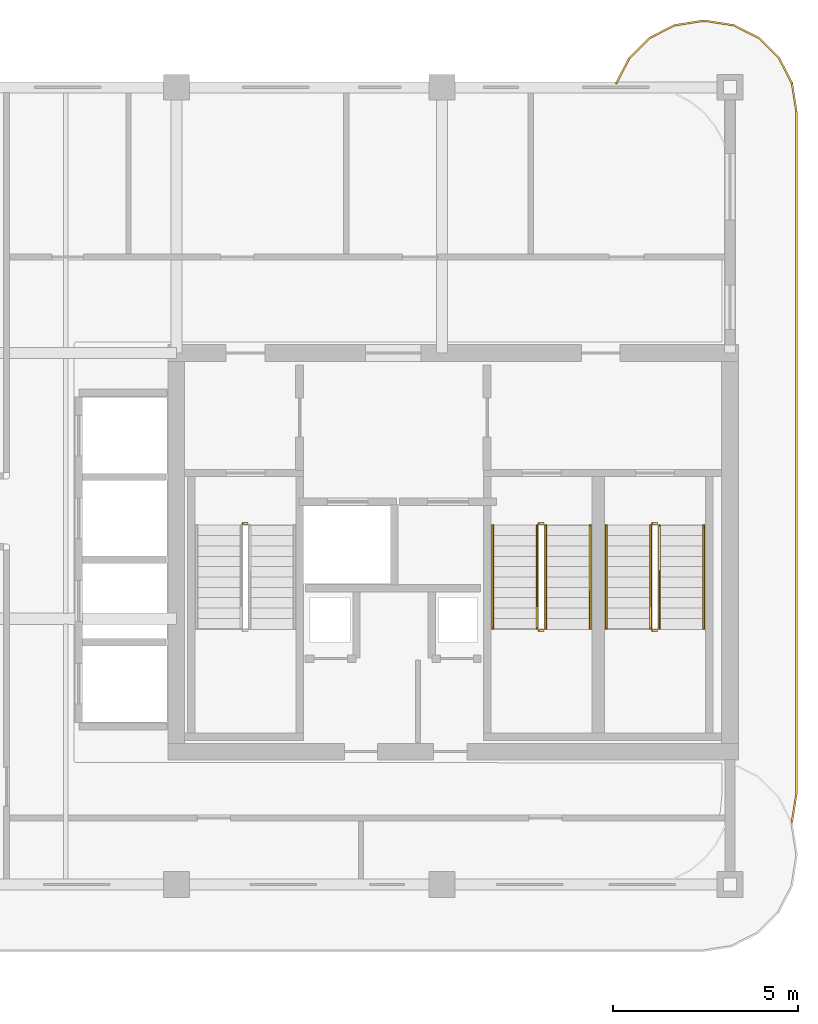
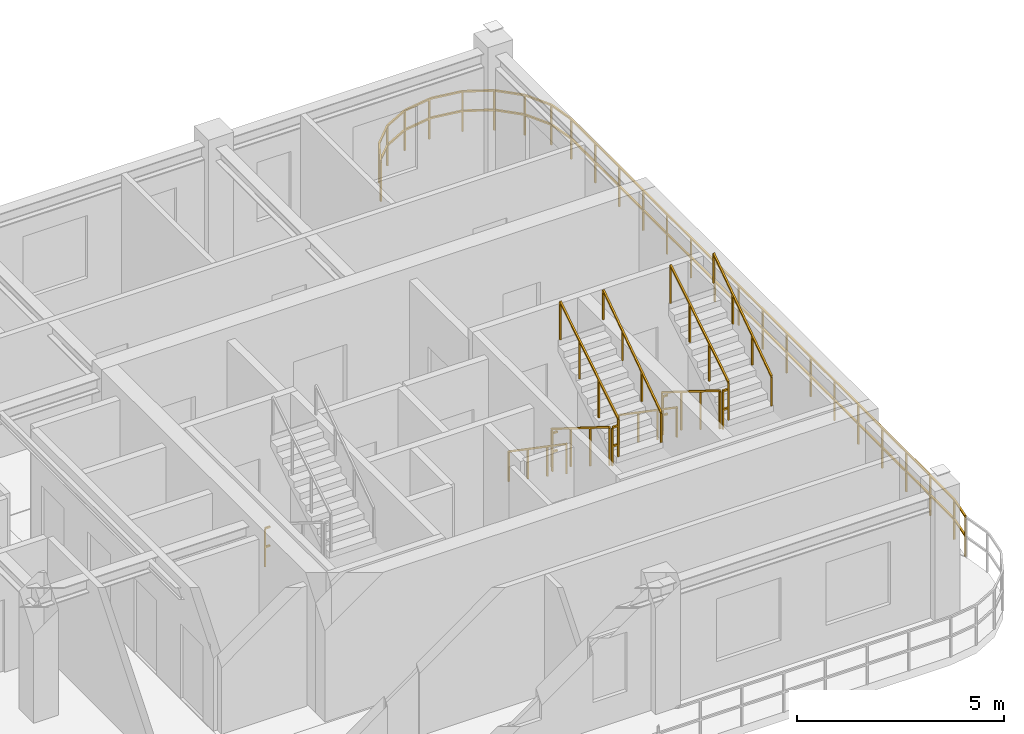
# One storey, part 7 of 7: 14 railings.
"""IFC4 building model written with IfcOpenShell, lengths in metres."""

from ifc_helpers import new_model, si_unit, derived_unit, direction, frame, origin, origin_2d, place, context, subcontext, project, spatial, rectangle, extrude, material, type_object, element, save


model = new_model("IFC4")

# Units and contexts
model_context = context("Model", 3, precision=1e-05, world=origin(), true_north=direction((0.0, 1.0)))
body_context = subcontext(model_context, "Body", "Model", "MODEL_VIEW")
ifc_project = project(units=[si_unit("LENGTHUNIT", "METRE"), si_unit("AREAUNIT", "SQUARE_METRE"), si_unit("VOLUMEUNIT", "CUBIC_METRE"), si_unit("PLANEANGLEUNIT", "RADIAN"), si_unit("MASSUNIT", "GRAM", prefix="KILO"), si_unit("THERMODYNAMICTEMPERATUREUNIT", "KELVIN"), si_unit("POWERUNIT", "WATT"), derived_unit("THERMALTRANSMITTANCEUNIT", [(si_unit("POWERUNIT", "WATT"), 1), (si_unit("AREAUNIT", "SQUARE_METRE"), -1), (si_unit("THERMODYNAMICTEMPERATUREUNIT", "KELVIN"), -1)])], contexts=[model_context])

# Site, building, storey
site_placement = place(None, origin())
site = spatial("IfcSite", under=ifc_project, at=site_placement, CompositionType="ELEMENT")
building_placement = place(site_placement, origin())
building = spatial("IfcBuilding", under=site, at=building_placement, Name="Zahravan Archway Hotel and Residences", CompositionType="ELEMENT")
storey_placement = place(building_placement, frame((0.0, 0.0, 290.449951171875)))
storey = spatial("IfcBuildingStorey", under=building, at=storey_placement, Name="L73", CompositionType="ELEMENT", Elevation=290.449951171875)

# Railings
ifc_material_1 = material(Name="Bronze & Laminated Glass Balustrade", Category="glass")
railing_type_1 = type_object("IfcRailingType", Name="RL-BAL-1200", PredefinedType="BALUSTRADE", material=ifc_material_1)
railing_1_placement = place(storey_placement, frame((46.719970703125, 21.70703125, 0.0)))
element("IfcRailing", 1, at=railing_1_placement, inside=storey, type_object=railing_type_1, Name="L73 Balustrade RL-SLB-BAL-L73-EA-1", PredefinedType="BALUSTRADE", context=body_context, shape_type="SweptSolid", body=[
    extrude(rectangle(XDim=0.048095703125, YDim=0.048095703125, at=origin_2d()), frame((0.0, 0.0, 1.17578125), z_axis=(0.453825591531, 0.891090529897, 0.0), x_axis=(-0.891090529897, 0.453825591531, 0.0)), (0.0, 0.0, 1.0), 0.7666015625),
    extrude(rectangle(XDim=0.048095703125, YDim=0.048095703125, at=origin_2d()), frame((0.0, 0.0, 0.60009765625), z_axis=(0.453825591531, 0.891090529897, 0.0), x_axis=(-0.891090529897, 0.453825591531, 0.0)), (0.0, 0.0, 1.0), 0.7666015625),
    extrude(rectangle(XDim=0.048095703125, YDim=0.048095703125, at=origin_2d()), frame((0.347900390625, 0.68310546875, 1.17578125), z_axis=(0.707106781187, 0.707106781187, 0.0), x_axis=(-0.707106781187, 0.707106781187, 0.0)), (0.0, 0.0, 1.0), 0.7666015625),
    extrude(rectangle(XDim=0.048095703125, YDim=0.048095703125, at=origin_2d()), frame((0.347900390625, 0.68310546875, 0.60009765625), z_axis=(0.707106781187, 0.707106781187, 0.0), x_axis=(-0.707106781187, 0.707106781187, 0.0)), (0.0, 0.0, 1.0), 0.7666015625),
    extrude(rectangle(XDim=0.048095703125, YDim=0.048095703125, at=origin_2d()), frame((0.889892578125, 1.22509765625, 1.17578125), z_axis=(0.891090529897, 0.453825591531, 0.0), x_axis=(-0.453825591531, 0.891090529897, 0.0)), (0.0, 0.0, 1.0), 0.7666015625),
    extrude(rectangle(XDim=0.048095703125, YDim=0.048095703125, at=origin_2d()), frame((0.889892578125, 1.22509765625, 0.60009765625), z_axis=(0.891090529897, 0.453825591531, 0.0), x_axis=(-0.453825591531, 0.891090529897, 0.0)), (0.0, 0.0, 1.0), 0.7666015625),
    extrude(rectangle(XDim=0.048095703125, YDim=0.048095703125, at=origin_2d()), frame((1.572998046875, 1.572998046875, 1.17578125), z_axis=(0.987695728695, 0.156387811283, 0.0), x_axis=(-0.156387811283, 0.987695728695, 0.0)), (0.0, 0.0, 1.0), 0.7666015625),
    extrude(rectangle(XDim=0.048095703125, YDim=0.048095703125, at=origin_2d()), frame((1.572998046875, 1.572998046875, 0.60009765625), z_axis=(0.987695728695, 0.156387811283, 0.0), x_axis=(-0.156387811283, 0.987695728695, 0.0)), (0.0, 0.0, 1.0), 0.7666015625),
    extrude(rectangle(XDim=0.048095703125, YDim=0.048095703125, at=origin_2d()), frame((2.330078125, 1.69287109375, 1.17578125), z_axis=(1.0, 0.0, 0.0), x_axis=(0.0, 1.0, 0.0)), (0.0, 0.0, 1.0), 0.099853515625),
    extrude(rectangle(XDim=0.048095703125, YDim=0.048095703125, at=origin_2d()), frame((2.330078125, 1.69287109375, 0.60009765625), z_axis=(1.0, 0.0, 0.0), x_axis=(0.0, 1.0, 0.0)), (0.0, 0.0, 1.0), 0.099853515625),
    extrude(rectangle(XDim=0.048095703125, YDim=0.048095703125, at=origin_2d()), frame((2.429931640625, 1.69287109375, 1.17578125), z_axis=(0.987695728695, -0.156387811283, 0.0), x_axis=(0.156387811283, 0.987695728695, 0.0)), (0.0, 0.0, 1.0), 0.7666015625),
    extrude(rectangle(XDim=0.048095703125, YDim=0.048095703125, at=origin_2d()), frame((2.429931640625, 1.69287109375, 0.60009765625), z_axis=(0.987695728695, -0.156387811283, 0.0), x_axis=(0.156387811283, 0.987695728695, 0.0)), (0.0, 0.0, 1.0), 0.7666015625),
    extrude(rectangle(XDim=0.048095703125, YDim=0.048095703125, at=origin_2d()), frame((3.18701171875, 1.572998046875, 1.17578125), z_axis=(0.891090529897, -0.453825591531, 0.0), x_axis=(0.453825591531, 0.891090529897, 0.0)), (0.0, 0.0, 1.0), 0.7666015625),
    extrude(rectangle(XDim=0.048095703125, YDim=0.048095703125, at=origin_2d()), frame((3.18701171875, 1.572998046875, 0.60009765625), z_axis=(0.891090529897, -0.453825591531, 0.0), x_axis=(0.453825591531, 0.891090529897, 0.0)), (0.0, 0.0, 1.0), 0.7666015625),
    extrude(rectangle(XDim=0.048095703125, YDim=0.048095703125, at=origin_2d()), frame((3.8701171875, 1.22509765625, 1.17578125), z_axis=(0.707106781187, -0.707106781187, 0.0), x_axis=(0.707106781187, 0.707106781187, 0.0)), (0.0, 0.0, 1.0), 0.7666015625),
    extrude(rectangle(XDim=0.048095703125, YDim=0.048095703125, at=origin_2d()), frame((3.8701171875, 1.22509765625, 0.60009765625), z_axis=(0.707106781187, -0.707106781187, 0.0), x_axis=(0.707106781187, 0.707106781187, 0.0)), (0.0, 0.0, 1.0), 0.7666015625),
    extrude(rectangle(XDim=0.048095703125, YDim=0.048095703125, at=origin_2d()), frame((4.412109375, 0.68310546875, 1.17578125), z_axis=(0.453825591531, -0.891090529897, 0.0), x_axis=(0.891090529897, 0.453825591531, 0.0)), (0.0, 0.0, 1.0), 0.7666015625),
    extrude(rectangle(XDim=0.048095703125, YDim=0.048095703125, at=origin_2d()), frame((4.412109375, 0.68310546875, 0.60009765625), z_axis=(0.453825591531, -0.891090529897, 0.0), x_axis=(0.891090529897, 0.453825591531, 0.0)), (0.0, 0.0, 1.0), 0.7666015625),
    extrude(rectangle(XDim=0.048095703125, YDim=0.048095703125, at=origin_2d()), frame((4.760009765625, 0.0, 1.17578125), z_axis=(0.156698507018, -0.987646484274, 0.0), x_axis=(0.987646484274, 0.156698507018, 0.0)), (0.0, 0.0, 1.0), 0.7666015625),
    extrude(rectangle(XDim=0.048095703125, YDim=0.048095703125, at=origin_2d()), frame((4.760009765625, 0.0, 0.60009765625), z_axis=(0.156698507018, -0.987646484274, 0.0), x_axis=(0.987646484274, 0.156698507018, 0.0)), (0.0, 0.0, 1.0), 0.7666015625),
    extrude(rectangle(XDim=0.048095703125, YDim=0.048095703125, at=origin_2d()), frame((4.880126953125, -0.757080078125, 1.17578125), z_axis=(0.0, -1.0, 0.0), x_axis=(1.0, 0.0, 0.0)), (0.0, 0.0, 1.0), 18.5),
    extrude(rectangle(XDim=0.048095703125, YDim=0.048095703125, at=origin_2d()), frame((4.880126953125, -0.757080078125, 0.60009765625), z_axis=(0.0, -1.0, 0.0), x_axis=(1.0, 0.0, 0.0)), (0.0, 0.0, 1.0), 18.5),
    extrude(rectangle(XDim=0.048095703125, YDim=0.048095703125, at=origin_2d()), frame((4.880126953125, -19.257080078125, 1.17578125), z_axis=(-0.156698507018, -0.987646484274, 0.0), x_axis=(0.987646484274, -0.156698507018, 0.0)), (0.0, 0.0, 1.0), 0.7666015625),
    extrude(rectangle(XDim=0.048095703125, YDim=0.048095703125, at=origin_2d()), frame((4.880126953125, -19.257080078125, 0.60009765625), z_axis=(-0.156698507018, -0.987646484274, 0.0), x_axis=(0.987646484274, -0.156698507018, 0.0)), (0.0, 0.0, 1.0), 0.7666015625),
    extrude(rectangle(XDim=0.0419921875, YDim=0.0419921875, at=origin_2d()), origin(), (0.0, 0.0, 1.0), 1.15185546875),
    extrude(rectangle(XDim=0.0419921875, YDim=0.0419921875, at=origin_2d()), frame((0.347900390625, 0.68310546875, 0.0)), (0.0, 0.0, 1.0), 1.15185546875),
    extrude(rectangle(XDim=0.0419921875, YDim=0.0419921875, at=origin_2d()), frame((0.889892578125, 1.22509765625, 0.0)), (0.0, 0.0, 1.0), 1.15185546875),
    extrude(rectangle(XDim=0.0419921875, YDim=0.0419921875, at=origin_2d()), frame((1.572998046875, 1.572998046875, 0.0)), (0.0, 0.0, 1.0), 1.15185546875),
    extrude(rectangle(XDim=0.0419921875, YDim=0.0419921875, at=origin_2d()), frame((2.330078125, 1.69287109375, 0.0)), (0.0, 0.0, 1.0), 1.15185546875),
    extrude(rectangle(XDim=0.0419921875, YDim=0.0419921875, at=origin_2d()), frame((3.18701171875, 1.572998046875, 0.0)), (0.0, 0.0, 1.0), 1.15185546875),
    extrude(rectangle(XDim=0.0419921875, YDim=0.0419921875, at=origin_2d()), frame((3.8701171875, 1.22509765625, 0.0)), (0.0, 0.0, 1.0), 1.15185546875),
    extrude(rectangle(XDim=0.0419921875, YDim=0.0419921875, at=origin_2d()), frame((4.412109375, 0.68310546875, 0.0)), (0.0, 0.0, 1.0), 1.15185546875),
    extrude(rectangle(XDim=0.0419921875, YDim=0.0419921875, at=origin_2d()), frame((4.760009765625, 0.0, 0.0)), (0.0, 0.0, 1.0), 1.15185546875),
    extrude(rectangle(XDim=0.0419921875, YDim=0.0419921875, at=origin_2d()), frame((4.880126953125, -0.757080078125, 0.0)), (0.0, 0.0, 1.0), 1.15185546875),
    extrude(rectangle(XDim=0.0419921875, YDim=0.0419921875, at=origin_2d()), frame((4.880126953125, -1.913330078125, 0.0)), (0.0, 0.0, 1.0), 1.15185546875),
    extrude(rectangle(XDim=0.0419921875, YDim=0.0419921875, at=origin_2d()), frame((4.880126953125, -3.069580078125, 0.0)), (0.0, 0.0, 1.0), 1.15185546875),
    extrude(rectangle(XDim=0.0419921875, YDim=0.0419921875, at=origin_2d()), frame((4.880126953125, -4.225830078125, 0.0)), (0.0, 0.0, 1.0), 1.15185546875),
    extrude(rectangle(XDim=0.0419921875, YDim=0.0419921875, at=origin_2d()), frame((4.880126953125, -5.382080078125, 0.0)), (0.0, 0.0, 1.0), 1.15185546875),
    extrude(rectangle(XDim=0.0419921875, YDim=0.0419921875, at=origin_2d()), frame((4.880126953125, -6.538330078125, 0.0)), (0.0, 0.0, 1.0), 1.15185546875),
    extrude(rectangle(XDim=0.0419921875, YDim=0.0419921875, at=origin_2d()), frame((4.880126953125, -7.694580078125, 0.0)), (0.0, 0.0, 1.0), 1.15185546875),
    extrude(rectangle(XDim=0.0419921875, YDim=0.0419921875, at=origin_2d()), frame((4.880126953125, -8.850830078125, 0.0)), (0.0, 0.0, 1.0), 1.15185546875),
    extrude(rectangle(XDim=0.0419921875, YDim=0.0419921875, at=origin_2d()), frame((4.880126953125, -10.007080078125, 0.0)), (0.0, 0.0, 1.0), 1.15185546875),
    extrude(rectangle(XDim=0.0419921875, YDim=0.0419921875, at=origin_2d()), frame((4.880126953125, -11.163330078125, 0.0)), (0.0, 0.0, 1.0), 1.15185546875),
    extrude(rectangle(XDim=0.0419921875, YDim=0.0419921875, at=origin_2d()), frame((4.880126953125, -12.319580078125, 0.0)), (0.0, 0.0, 1.0), 1.15185546875),
    extrude(rectangle(XDim=0.0419921875, YDim=0.0419921875, at=origin_2d()), frame((4.880126953125, -13.475830078125, 0.0)), (0.0, 0.0, 1.0), 1.15185546875),
    extrude(rectangle(XDim=0.0419921875, YDim=0.0419921875, at=origin_2d()), frame((4.880126953125, -14.632080078125, 0.0)), (0.0, 0.0, 1.0), 1.15185546875),
    extrude(rectangle(XDim=0.0419921875, YDim=0.0419921875, at=origin_2d()), frame((4.880126953125, -15.788330078125, 0.0)), (0.0, 0.0, 1.0), 1.15185546875),
    extrude(rectangle(XDim=0.0419921875, YDim=0.0419921875, at=origin_2d()), frame((4.880126953125, -16.944580078125, 0.0)), (0.0, 0.0, 1.0), 1.15185546875),
    extrude(rectangle(XDim=0.0419921875, YDim=0.0419921875, at=origin_2d()), frame((4.880126953125, -18.100830078125, 0.0)), (0.0, 0.0, 1.0), 1.15185546875),
    extrude(rectangle(XDim=0.0419921875, YDim=0.0419921875, at=origin_2d()), frame((4.880126953125, -19.257080078125, 0.0)), (0.0, 0.0, 1.0), 1.15185546875),
    extrude(rectangle(XDim=0.0419921875, YDim=0.0419921875, at=origin_2d()), frame((4.760009765625, -20.01416015625, 0.0)), (0.0, 0.0, 1.0), 1.15185546875),
])
ifc_material_2 = material(Name="Painted Tubular Steel", Category="steel")
railing_type_2 = type_object("IfcRailingType", Name="RL-STG-1150", PredefinedType="GUARDRAIL", material=ifc_material_2)
railing_2_placement = place(storey_placement, frame((36.60009765625, 9.780029296875, 0.0)))
element("IfcRailing", 2, at=railing_2_placement, inside=storey, type_object=railing_type_2, Name="L73 ST-A1 stair guard 4", PredefinedType="GUARDRAIL", context=body_context, shape_type="SweptSolid", body=[
    extrude(rectangle(XDim=0.048095703125, YDim=0.048095703125, at=origin_2d()), frame((0.0, 0.0, 1.1259765625), z_axis=(1.0, 0.0, 0.0), x_axis=(0.0, 1.0, 0.0)), (0.0, 0.0, 1.0), 0.139892578125),
    extrude(rectangle(XDim=0.048095703125, YDim=0.048095703125, at=origin_2d()), frame((0.0, 0.0, 0.574951171875), z_axis=(1.0, 0.0, 0.0), x_axis=(0.0, 1.0, 0.0)), (0.0, 0.0, 1.0), 0.139892578125),
    extrude(rectangle(XDim=0.0419921875, YDim=0.0419921875, at=origin_2d()), origin(), (0.0, 0.0, 1.0), 1.101806640625),
])
railing_3_placement = place(storey_placement, frame((44.570068359375, 9.72998046875, 0.175048828125)))
element("IfcRailing", 3, at=railing_3_placement, inside=storey, type_object=railing_type_2, Name="L73 ST-A2 stair guard 1", PredefinedType="GUARDRAIL", context=body_context, shape_type="SweptSolid", body=[
    extrude(rectangle(XDim=0.048095703125, YDim=0.048095703125, at=origin_2d()), frame((0.0, 0.0, 1.1259765625), z_axis=(0.0, -0.848002457836, 0.529992293815), x_axis=(1.0, 0.0, 0.0)), (0.0, 0.0, 1.0), 3.302001953125),
    extrude(rectangle(XDim=0.0419921875, YDim=0.0419921875, at=origin_2d()), origin(), (0.0, 0.0, 1.0), 1.101806640625),
    extrude(rectangle(XDim=0.0419921875, YDim=0.0419921875, at=origin_2d()), frame((0.0, -0.933349609375, 0.583251953125)), (0.0, 0.0, 1.0), 1.101806640625),
    extrude(rectangle(XDim=0.0419921875, YDim=0.0419921875, at=origin_2d()), frame((0.0, -1.86669921875, 1.166748046875)), (0.0, 0.0, 1.0), 1.101806640625),
    extrude(rectangle(XDim=0.0419921875, YDim=0.0419921875, at=origin_2d()), frame((0.0, -2.800048828125, 1.75)), (0.0, 0.0, 1.0), 1.101806640625),
])
railing_4_placement = place(storey_placement, frame((44.6201171875, 6.8798828125, 1.925048828125)))
element("IfcRailing", 4, at=railing_4_placement, inside=storey, type_object=railing_type_2, Name="L73 ST-A2 stair guard 2", PredefinedType="GUARDRAIL", context=body_context, shape_type="SweptSolid", body=[
    extrude(rectangle(XDim=0.048095703125, YDim=0.048095703125, at=origin_2d()), frame((0.0, 0.0, 1.1259765625), z_axis=(1.0, 0.0, 0.0), x_axis=(0.0, 1.0, 0.0)), (0.0, 0.0, 1.0), 0.139892578125),
    extrude(rectangle(XDim=0.048095703125, YDim=0.048095703125, at=origin_2d()), frame((0.0, 0.0, 0.574951171875), z_axis=(1.0, 0.0, 0.0), x_axis=(0.0, 1.0, 0.0)), (0.0, 0.0, 1.0), 0.139892578125),
    extrude(rectangle(XDim=0.0419921875, YDim=0.0419921875, at=origin_2d()), origin(), (0.0, 0.0, 1.0), 1.101806640625),
])
railing_5_placement = place(storey_placement, frame((44.81005859375, 6.929931640625, 2.10009765625)))
element("IfcRailing", 5, at=railing_5_placement, inside=storey, type_object=railing_type_2, Name="L73 ST-A2 stair guard 3", PredefinedType="GUARDRAIL", context=body_context, shape_type="SweptSolid", body=[
    extrude(rectangle(XDim=0.048095703125, YDim=0.048095703125, at=origin_2d()), frame((0.0, 0.0, 1.1259765625), z_axis=(0.0, 0.848002457836, 0.529992293815), x_axis=(-1.0, 0.0, 0.0)), (0.0, 0.0, 1.0), 3.302001953125),
    extrude(rectangle(XDim=0.0419921875, YDim=0.0419921875, at=origin_2d()), origin(), (0.0, 0.0, 1.0), 1.101806640625),
    extrude(rectangle(XDim=0.0419921875, YDim=0.0419921875, at=origin_2d()), frame((0.0, 0.933349609375, 0.583251953125)), (0.0, 0.0, 1.0), 1.101806640625),
    extrude(rectangle(XDim=0.0419921875, YDim=0.0419921875, at=origin_2d()), frame((0.0, 1.86669921875, 1.166748046875)), (0.0, 0.0, 1.0), 1.101806640625),
    extrude(rectangle(XDim=0.0419921875, YDim=0.0419921875, at=origin_2d()), frame((0.0, 2.800048828125, 1.75)), (0.0, 0.0, 1.0), 1.101806640625),
])
railing_6_placement = place(storey_placement, frame((44.6201171875, 9.780029296875, 0.0)))
element("IfcRailing", 6, at=railing_6_placement, inside=storey, type_object=railing_type_2, Name="L73 ST-A2 stair guard 4", PredefinedType="GUARDRAIL", context=body_context, shape_type="SweptSolid", body=[
    extrude(rectangle(XDim=0.048095703125, YDim=0.048095703125, at=origin_2d()), frame((0.0, 0.0, 1.1259765625), z_axis=(1.0, 0.0, 0.0), x_axis=(0.0, 1.0, 0.0)), (0.0, 0.0, 1.0), 0.139892578125),
    extrude(rectangle(XDim=0.048095703125, YDim=0.048095703125, at=origin_2d()), frame((0.0, 0.0, 0.574951171875), z_axis=(1.0, 0.0, 0.0), x_axis=(0.0, 1.0, 0.0)), (0.0, 0.0, 1.0), 0.139892578125),
    extrude(rectangle(XDim=0.0419921875, YDim=0.0419921875, at=origin_2d()), origin(), (0.0, 0.0, 1.0), 1.101806640625),
])
railing_7_placement = place(storey_placement, frame((47.64990234375, 9.72998046875, 0.175048828125)))
element("IfcRailing", 7, at=railing_7_placement, inside=storey, type_object=railing_type_2, Name="L73 ST-A3 stair guard 1", PredefinedType="GUARDRAIL", context=body_context, shape_type="SweptSolid", body=[
    extrude(rectangle(XDim=0.048095703125, YDim=0.048095703125, at=origin_2d()), frame((0.0, 0.0, 1.1259765625), z_axis=(0.0, -0.848002457836, 0.529992293815), x_axis=(1.0, 0.0, 0.0)), (0.0, 0.0, 1.0), 3.302001953125),
    extrude(rectangle(XDim=0.0419921875, YDim=0.0419921875, at=origin_2d()), origin(), (0.0, 0.0, 1.0), 1.101806640625),
    extrude(rectangle(XDim=0.0419921875, YDim=0.0419921875, at=origin_2d()), frame((0.0, -0.933349609375, 0.583251953125)), (0.0, 0.0, 1.0), 1.101806640625),
    extrude(rectangle(XDim=0.0419921875, YDim=0.0419921875, at=origin_2d()), frame((0.0, -1.86669921875, 1.166748046875)), (0.0, 0.0, 1.0), 1.101806640625),
    extrude(rectangle(XDim=0.0419921875, YDim=0.0419921875, at=origin_2d()), frame((0.0, -2.800048828125, 1.75)), (0.0, 0.0, 1.0), 1.101806640625),
])
railing_8_placement = place(storey_placement, frame((47.699951171875, 6.8798828125, 1.925048828125)))
element("IfcRailing", 8, at=railing_8_placement, inside=storey, type_object=railing_type_2, Name="L73 ST-A3 stair guard 2", PredefinedType="GUARDRAIL", context=body_context, shape_type="SweptSolid", body=[
    extrude(rectangle(XDim=0.048095703125, YDim=0.048095703125, at=origin_2d()), frame((0.0, 0.0, 1.1259765625), z_axis=(1.0, 0.0, 0.0), x_axis=(0.0, 1.0, 0.0)), (0.0, 0.0, 1.0), 0.14013671875),
    extrude(rectangle(XDim=0.048095703125, YDim=0.048095703125, at=origin_2d()), frame((0.0, 0.0, 0.574951171875), z_axis=(1.0, 0.0, 0.0), x_axis=(0.0, 1.0, 0.0)), (0.0, 0.0, 1.0), 0.14013671875),
    extrude(rectangle(XDim=0.0419921875, YDim=0.0419921875, at=origin_2d()), origin(), (0.0, 0.0, 1.0), 1.101806640625),
])
railing_9_placement = place(storey_placement, frame((47.889892578125, 6.929931640625, 2.10009765625)))
element("IfcRailing", 9, at=railing_9_placement, inside=storey, type_object=railing_type_2, Name="L73 ST-A3 stair guard 3", PredefinedType="GUARDRAIL", context=body_context, shape_type="SweptSolid", body=[
    extrude(rectangle(XDim=0.048095703125, YDim=0.048095703125, at=origin_2d()), frame((0.0, 0.0, 1.1259765625), z_axis=(0.0, 0.848002457836, 0.529992293815), x_axis=(-1.0, 0.0, 0.0)), (0.0, 0.0, 1.0), 3.302001953125),
    extrude(rectangle(XDim=0.0419921875, YDim=0.0419921875, at=origin_2d()), origin(), (0.0, 0.0, 1.0), 1.101806640625),
    extrude(rectangle(XDim=0.0419921875, YDim=0.0419921875, at=origin_2d()), frame((0.0, 0.933349609375, 0.583251953125)), (0.0, 0.0, 1.0), 1.101806640625),
    extrude(rectangle(XDim=0.0419921875, YDim=0.0419921875, at=origin_2d()), frame((0.0, 1.86669921875, 1.166748046875)), (0.0, 0.0, 1.0), 1.101806640625),
    extrude(rectangle(XDim=0.0419921875, YDim=0.0419921875, at=origin_2d()), frame((0.0, 2.800048828125, 1.75)), (0.0, 0.0, 1.0), 1.101806640625),
])
railing_10_placement = place(storey_placement, frame((47.699951171875, 9.780029296875, 0.0)))
element("IfcRailing", 10, at=railing_10_placement, inside=storey, type_object=railing_type_2, Name="L73 ST-A3 stair guard 4", PredefinedType="GUARDRAIL", context=body_context, shape_type="SweptSolid", body=[
    extrude(rectangle(XDim=0.048095703125, YDim=0.048095703125, at=origin_2d()), frame((0.0, 0.0, 1.1259765625), z_axis=(1.0, 0.0, 0.0), x_axis=(0.0, 1.0, 0.0)), (0.0, 0.0, 1.0), 0.14013671875),
    extrude(rectangle(XDim=0.048095703125, YDim=0.048095703125, at=origin_2d()), frame((0.0, 0.0, 0.574951171875), z_axis=(1.0, 0.0, 0.0), x_axis=(0.0, 1.0, 0.0)), (0.0, 0.0, 1.0), 0.14013671875),
    extrude(rectangle(XDim=0.0419921875, YDim=0.0419921875, at=origin_2d()), origin(), (0.0, 0.0, 1.0), 1.101806640625),
])
ifc_material_3 = material(Name="Brushed Stainless Steel", Category="steel")
railing_type_3 = type_object("IfcRailingType", Name="RL-STH-900", PredefinedType="HANDRAIL", material=ifc_material_3)
railing_11_placement = place(storey_placement, frame((43.3701171875, 9.72998046875, 0.175048828125)))
element("IfcRailing", 11, at=railing_11_placement, inside=storey, type_object=railing_type_3, Name="L73 ST-A2 stair handrail 1", PredefinedType="HANDRAIL", context=body_context, shape_type="SweptSolid", body=[
    extrude(rectangle(XDim=0.048095703125, YDim=0.048095703125, at=origin_2d()), frame((0.0, 0.0, 0.8759765625), z_axis=(0.0, -0.824039827795, 0.566531872191), x_axis=(1.0, 0.0, 0.0)), (0.0, 0.0, 1.0), 3.39794921875),
    extrude(rectangle(XDim=0.0419921875, YDim=0.0419921875, at=origin_2d()), origin(), (0.0, 0.0, 1.0), 0.851806640625),
    extrude(rectangle(XDim=0.0419921875, YDim=0.0419921875, at=origin_2d()), frame((0.0, -0.933349609375, 0.6416015625)), (0.0, 0.0, 1.0), 0.851806640625),
    extrude(rectangle(XDim=0.0419921875, YDim=0.0419921875, at=origin_2d()), frame((0.0, -1.86669921875, 1.283447265625)), (0.0, 0.0, 1.0), 0.851806640625),
    extrude(rectangle(XDim=0.0419921875, YDim=0.0419921875, at=origin_2d()), frame((0.0, -2.800048828125, 1.925048828125)), (0.0, 0.0, 1.0), 0.851806640625),
])
railing_12_placement = place(storey_placement, frame((46.010009765625, 6.929931640625, 2.10009765625)))
element("IfcRailing", 12, at=railing_12_placement, inside=storey, type_object=railing_type_3, Name="L73 ST-A2 stair handrail 2", PredefinedType="HANDRAIL", context=body_context, shape_type="SweptSolid", body=[
    extrude(rectangle(XDim=0.048095703125, YDim=0.048095703125, at=origin_2d()), frame((0.0, 0.0, 0.8759765625), z_axis=(0.0, 0.824039827795, 0.566531872191), x_axis=(-1.0, 0.0, 0.0)), (0.0, 0.0, 1.0), 3.39794921875),
    extrude(rectangle(XDim=0.0419921875, YDim=0.0419921875, at=origin_2d()), origin(), (0.0, 0.0, 1.0), 0.851806640625),
    extrude(rectangle(XDim=0.0419921875, YDim=0.0419921875, at=origin_2d()), frame((0.0, 0.933349609375, 0.6416015625)), (0.0, 0.0, 1.0), 0.851806640625),
    extrude(rectangle(XDim=0.0419921875, YDim=0.0419921875, at=origin_2d()), frame((0.0, 1.86669921875, 1.283447265625)), (0.0, 0.0, 1.0), 0.851806640625),
    extrude(rectangle(XDim=0.0419921875, YDim=0.0419921875, at=origin_2d()), frame((0.0, 2.800048828125, 1.925048828125)), (0.0, 0.0, 1.0), 0.851806640625),
])
railing_13_placement = place(storey_placement, frame((46.449951171875, 9.72998046875, 0.175048828125)))
element("IfcRailing", 13, at=railing_13_placement, inside=storey, type_object=railing_type_3, Name="L73 ST-A3 stair handrail 1", PredefinedType="HANDRAIL", context=body_context, shape_type="SweptSolid", body=[
    extrude(rectangle(XDim=0.048095703125, YDim=0.048095703125, at=origin_2d()), frame((0.0, 0.0, 0.8759765625), z_axis=(0.0, -0.824039827795, 0.566531872191), x_axis=(1.0, 0.0, 0.0)), (0.0, 0.0, 1.0), 3.39794921875),
    extrude(rectangle(XDim=0.0419921875, YDim=0.0419921875, at=origin_2d()), origin(), (0.0, 0.0, 1.0), 0.851806640625),
    extrude(rectangle(XDim=0.0419921875, YDim=0.0419921875, at=origin_2d()), frame((0.0, -0.933349609375, 0.6416015625)), (0.0, 0.0, 1.0), 0.851806640625),
    extrude(rectangle(XDim=0.0419921875, YDim=0.0419921875, at=origin_2d()), frame((0.0, -1.86669921875, 1.283447265625)), (0.0, 0.0, 1.0), 0.851806640625),
    extrude(rectangle(XDim=0.0419921875, YDim=0.0419921875, at=origin_2d()), frame((0.0, -2.800048828125, 1.925048828125)), (0.0, 0.0, 1.0), 0.851806640625),
])
railing_14_placement = place(storey_placement, frame((49.090087890625, 6.929931640625, 2.10009765625)))
element("IfcRailing", 14, at=railing_14_placement, inside=storey, type_object=railing_type_3, Name="L73 ST-A3 stair handrail 2", PredefinedType="HANDRAIL", context=body_context, shape_type="SweptSolid", body=[
    extrude(rectangle(XDim=0.048095703125, YDim=0.048095703125, at=origin_2d()), frame((0.0, 0.0, 0.8759765625), z_axis=(0.0, 0.824039827795, 0.566531872191), x_axis=(-1.0, 0.0, 0.0)), (0.0, 0.0, 1.0), 3.39794921875),
    extrude(rectangle(XDim=0.0419921875, YDim=0.0419921875, at=origin_2d()), origin(), (0.0, 0.0, 1.0), 0.851806640625),
    extrude(rectangle(XDim=0.0419921875, YDim=0.0419921875, at=origin_2d()), frame((0.0, 0.933349609375, 0.6416015625)), (0.0, 0.0, 1.0), 0.851806640625),
    extrude(rectangle(XDim=0.0419921875, YDim=0.0419921875, at=origin_2d()), frame((0.0, 1.86669921875, 1.283447265625)), (0.0, 0.0, 1.0), 0.851806640625),
    extrude(rectangle(XDim=0.0419921875, YDim=0.0419921875, at=origin_2d()), frame((0.0, 2.800048828125, 1.925048828125)), (0.0, 0.0, 1.0), 0.851806640625),
])

save(model, "model.ifc")
